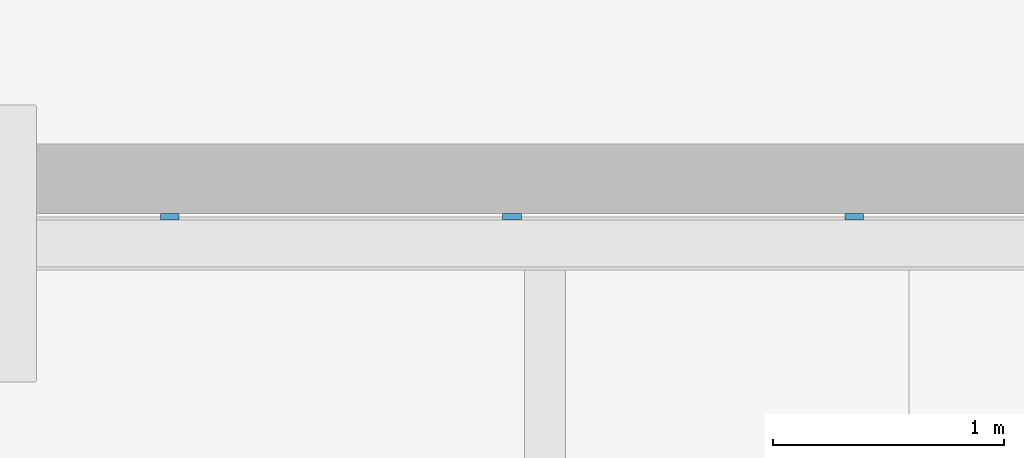
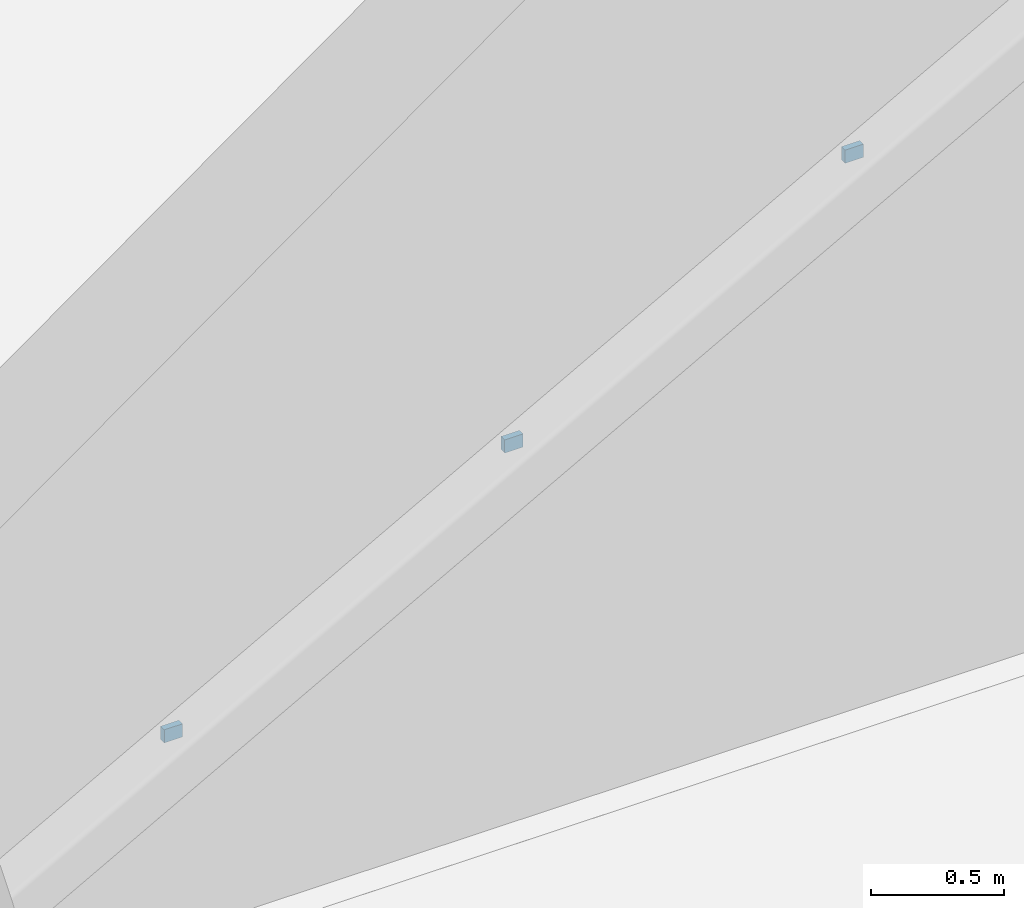
# One storey, part 89 of 127: 3 discrete accessories.
"""IFC4 building model written with IfcOpenShell, lengths in metres."""

from ifc_helpers import new_model, si_unit, direction, frame, origin, origin_2d, place, context, subcontext, project, spatial, rectangle, extrude, material, type_object, element, save


model = new_model("IFC4")

# Units and contexts
model_context = context("Model", 3, precision=1e-05, world=origin(), true_north=direction((0.0, 1.0)))
body_context = subcontext(model_context, "Body", "Model", "MODEL_VIEW")
ifc_project = project(units=[si_unit("LENGTHUNIT", "METRE"), si_unit("AREAUNIT", "SQUARE_METRE"), si_unit("VOLUMEUNIT", "CUBIC_METRE"), si_unit("PLANEANGLEUNIT", "RADIAN"), si_unit("MASSUNIT", "GRAM", prefix="KILO")], contexts=[model_context])

# Site, building, storey
site_placement = place(None, origin())
site = spatial("IfcSite", under=ifc_project, at=site_placement, CompositionType="ELEMENT")
building_placement = place(site_placement, origin())
building = spatial("IfcBuilding", under=site, at=building_placement, Name="Ljudholm Concert House", CompositionType="ELEMENT")
storey_placement = place(building_placement, origin())
storey = spatial("IfcBuildingStorey", under=building, at=storey_placement, Name="L00", CompositionType="ELEMENT", Elevation=0.0)

# Discrete accessories
ifc_material = material(Name="Stainless steel bracket", Category="steel")
discrete_accessory_type = type_object("IfcDiscreteAccessoryType", Name="PANEL BRACKET EXTERNAL", PredefinedType="BRACKET", material=ifc_material)
for number, where, z_axis, x_axis, name in (
    (1, (114.376953125, 96.515625, 0.917236328125), (0.0, 0.0, 1.0), (0.0, 1.0, 0.0), "Panel bracket"),
    (2, (115.857421875, 96.515625, 1.731689453125), (0.0, 0.0, 1.0), (0.0, 1.0, 0.0), "Panel bracket"),
    (3, (117.337890625, 96.515625, 2.5458984375), (0.0, 0.0, 1.0), (0.0, 1.0, 0.0), "Panel bracket"),
):
    element("IfcDiscreteAccessory", number, at=place(storey_placement, frame(where, z_axis=z_axis, x_axis=x_axis)), inside=storey, type_object=discrete_accessory_type, Name=name, PredefinedType="BRACKET", context=body_context, shape_type="SweptSolid", body=[
        extrude(rectangle(XDim=0.028076171875, YDim=0.080078125, at=origin_2d()), origin(), (0.0, 0.0, 1.0), 0.06005859375),
    ])

save(model, "model.ifc")
